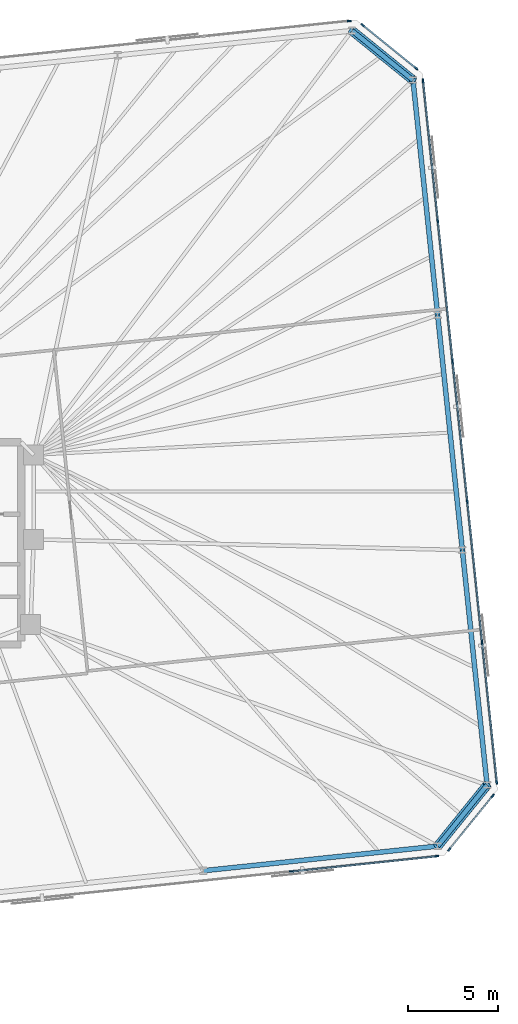
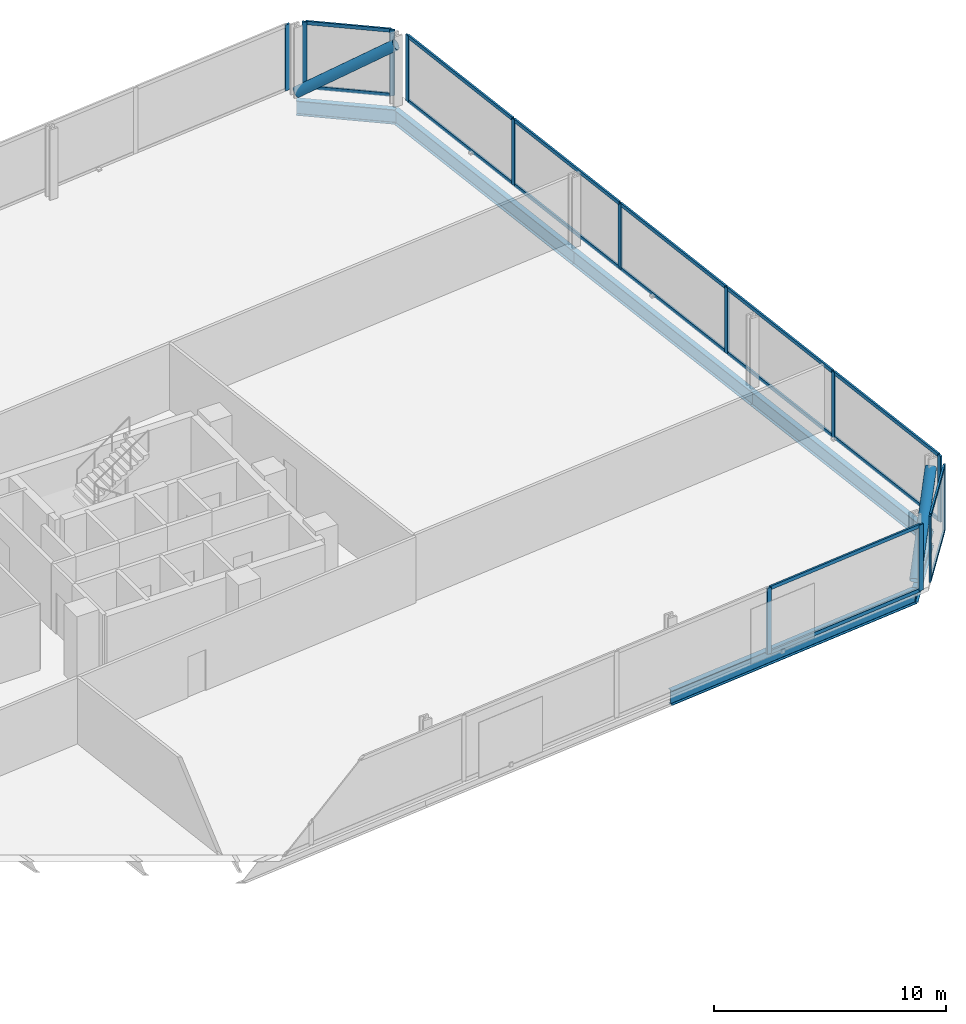
# One storey, part 12 of 17: 31 members, 6 beams, 5 elements without a shape of their own.
"""IFC4 building model written with IfcOpenShell, lengths in metres."""

from ifc_helpers import new_model, si_unit, direction, frame, origin, origin_2d, place, context, subcontext, project, spatial, rectangle, hollow_circle, i_section, extrude, material, material_profile, profile_set, type_object, element, aggregate, save


model = new_model("IFC4")

# Units and contexts
model_context = context("Model", 3, precision=1e-05, world=origin(), true_north=direction((0.0, 1.0)))
body_context = subcontext(model_context, "Body", "Model", "MODEL_VIEW")
ifc_project = project(units=[si_unit("LENGTHUNIT", "METRE"), si_unit("AREAUNIT", "SQUARE_METRE"), si_unit("VOLUMEUNIT", "CUBIC_METRE"), si_unit("PLANEANGLEUNIT", "RADIAN"), si_unit("MASSUNIT", "GRAM", prefix="KILO")], contexts=[model_context])

# Site, building, storey
site_placement = place(None, origin())
site = spatial("IfcSite", under=ifc_project, at=site_placement, CompositionType="ELEMENT")
building_placement = place(site_placement, origin())
building = spatial("IfcBuilding", under=site, at=building_placement, Name="Menara Jurai Vektor", CompositionType="ELEMENT")
storey_placement = place(building_placement, frame((0.0, 0.0, 109.60009765625)))
storey = spatial("IfcBuildingStorey", under=building, at=storey_placement, Name="L27", CompositionType="ELEMENT", Elevation=109.60009765625)

# Curtain wall, members
ifc_material_1 = material(Name="Anodised Pale Aluminium & Low-E Double Glazing", Category="aluminium")
curtain_wall_type = type_object("IfcCurtainWallType", Name="CW-BLK2", PredefinedType="NOTDEFINED", material=ifc_material_1)
curtain_wall_1_placement = place(storey_placement, origin())
curtain_wall_1 = element("IfcCurtainWall", 1, at=curtain_wall_1_placement, inside=storey, type_object=curtain_wall_type, Name="Unitised Curtain Wall L27 F01", PredefinedType="NOTDEFINED")
ifc_material_2 = material(Name="Anodised Pale Aluminium Mullion", Category="aluminium")
ifc_material_profile_1 = material_profile(ifc_material_2, rectangle(XDim=0.090087890625, YDim=0.219970703125, at=origin_2d()), Name="ALU MUL 90x220")
ifc_profile_set_1 = profile_set([ifc_material_profile_1], Name="Anodised Pale Aluminium Mullion")
member_type_1 = type_object("IfcMemberType", Name="CW-BLK2-MUL", PredefinedType="MULLION", material=ifc_profile_set_1)
member_1_placement = place(storey_placement, frame((29.52392578125, -18.169189453125, 0.0), z_axis=(0.0, 0.0, 1.0), x_axis=(-0.104528634935, 0.994521877325, 0.0)))
member_1 = element("IfcMember", 2, at=member_1_placement, type_object=member_type_1, Name="CW-02 mullion 8", PredefinedType="MULLION", context=body_context, shape_type="SweptSolid", body=[
    extrude(rectangle(XDim=0.090087890625, YDim=0.219970703125, at=origin_2d()), origin(), (0.0, 0.0, 1.0), 3.474853515625),
])
member_2_placement = place(storey_placement, frame((37.5771484375, -17.32275390625, 0.0), z_axis=(0.0, 0.0, 1.0), x_axis=(-0.104528634935, 0.994521877325, 0.0)))
member_2 = element("IfcMember", 3, at=member_2_placement, type_object=member_type_1, Name="CW-02 mullion 9", PredefinedType="MULLION", context=body_context, shape_type="SweptSolid", body=[
    extrude(rectangle(XDim=0.090087890625, YDim=0.219970703125, at=origin_2d()), origin(), (0.0, 0.0, 1.0), 3.474853515625),
])

curtain_wall_2_placement = place(storey_placement, origin())
curtain_wall_2 = element("IfcCurtainWall", 4, at=curtain_wall_2_placement, inside=storey, type_object=curtain_wall_type, Name="Unitised Curtain Wall L27 F02", PredefinedType="NOTDEFINED")
member_3_placement = place(storey_placement, frame((38.267333984375, -16.9482421875, 0.0), z_axis=(0.0, 0.0, 1.0), x_axis=(-0.777129222223, 0.62934106172, 0.0)))
member_3 = element("IfcMember", 5, at=member_3_placement, type_object=member_type_1, Name="CW-02 mullion 1", PredefinedType="MULLION", context=body_context, shape_type="SweptSolid", body=[
    extrude(rectangle(XDim=0.090087890625, YDim=0.219970703125, at=origin_2d()), origin(), (0.0, 0.0, 1.0), 3.474853515625),
])
member_4_placement = place(storey_placement, frame((40.66943359375, -13.98193359375, 0.0), z_axis=(0.0, 0.0, 1.0), x_axis=(-0.777129222223, 0.62934106172, 0.0)))
member_4 = element("IfcMember", 6, at=member_4_placement, type_object=member_type_1, Name="CW-02 mullion 2", PredefinedType="MULLION", context=body_context, shape_type="SweptSolid", body=[
    extrude(rectangle(XDim=0.090087890625, YDim=0.219970703125, at=origin_2d()), origin(), (0.0, 0.0, 1.0), 3.474853515625),
])

curtain_wall_3_placement = place(storey_placement, origin())
curtain_wall_3 = element("IfcCurtainWall", 7, at=curtain_wall_3_placement, inside=storey, type_object=curtain_wall_type, Name="Unitised Curtain Wall L27 F03", PredefinedType="NOTDEFINED")
member_5_placement = place(storey_placement, frame((40.892333984375, -13.22900390625, 0.0), z_axis=(0.0, 0.0, 1.0), x_axis=(-0.99452177832, -0.104529576902, 0.0)))
member_5 = element("IfcMember", 8, at=member_5_placement, type_object=member_type_1, Name="CW-02 mullion 1", PredefinedType="MULLION", context=body_context, shape_type="SweptSolid", body=[
    extrude(rectangle(XDim=0.090087890625, YDim=0.219970703125, at=origin_2d()), origin(), (0.0, 0.0, 1.0), 3.474853515625),
])
member_6_placement = place(storey_placement, frame((40.078857421875, -5.488525390625, 0.0), z_axis=(0.0, 0.0, 1.0), x_axis=(-0.99452177832, -0.104529576902, 0.0)))
member_6 = element("IfcMember", 9, at=member_6_placement, type_object=member_type_1, Name="CW-02 mullion 2", PredefinedType="MULLION", context=body_context, shape_type="SweptSolid", body=[
    extrude(rectangle(XDim=0.090087890625, YDim=0.219970703125, at=origin_2d()), origin(), (0.0, 0.0, 1.0), 3.474853515625),
])
member_7_placement = place(storey_placement, frame((39.260498046875, 2.296630859375, 0.0), z_axis=(0.0, 0.0, 1.0), x_axis=(-0.99452177832, -0.104529576902, 0.0)))
member_7 = element("IfcMember", 10, at=member_7_placement, type_object=member_type_1, Name="CW-02 mullion 3", PredefinedType="MULLION", context=body_context, shape_type="SweptSolid", body=[
    extrude(rectangle(XDim=0.090087890625, YDim=0.219970703125, at=origin_2d()), origin(), (0.0, 0.0, 1.0), 3.474853515625),
])
member_8_placement = place(storey_placement, frame((38.4423828125, 10.081787109375, 0.0), z_axis=(0.0, 0.0, 1.0), x_axis=(-0.99452177832, -0.104529576902, 0.0)))
member_8 = element("IfcMember", 11, at=member_8_placement, type_object=member_type_1, Name="CW-02 mullion 4", PredefinedType="MULLION", context=body_context, shape_type="SweptSolid", body=[
    extrude(rectangle(XDim=0.090087890625, YDim=0.219970703125, at=origin_2d()), origin(), (0.0, 0.0, 1.0), 3.474853515625),
])
member_9_placement = place(storey_placement, frame((37.6240234375, 17.866943359375, 0.0), z_axis=(0.0, 0.0, 1.0), x_axis=(-0.99452177832, -0.104529576902, 0.0)))
member_9 = element("IfcMember", 12, at=member_9_placement, type_object=member_type_1, Name="CW-02 mullion 5", PredefinedType="MULLION", context=body_context, shape_type="SweptSolid", body=[
    extrude(rectangle(XDim=0.090087890625, YDim=0.219970703125, at=origin_2d()), origin(), (0.0, 0.0, 1.0), 3.474853515625),
])
member_10_placement = place(storey_placement, frame((36.810546875, 25.607177734375, 0.0), z_axis=(0.0, 0.0, 1.0), x_axis=(-0.99452177832, -0.104529576902, 0.0)))
member_10 = element("IfcMember", 13, at=member_10_placement, type_object=member_type_1, Name="CW-02 mullion 6", PredefinedType="MULLION", context=body_context, shape_type="SweptSolid", body=[
    extrude(rectangle(XDim=0.090087890625, YDim=0.219970703125, at=origin_2d()), origin(), (0.0, 0.0, 1.0), 3.474853515625),
])

curtain_wall_4_placement = place(storey_placement, origin())
curtain_wall_4 = element("IfcCurtainWall", 14, at=curtain_wall_4_placement, inside=storey, type_object=curtain_wall_type, Name="Unitised Curtain Wall L27 F04", PredefinedType="NOTDEFINED")
member_11_placement = place(storey_placement, frame((36.435791015625, 26.29736328125, 0.0), z_axis=(0.0, 0.0, 1.0), x_axis=(-0.629313085353, -0.777151877437, 0.0)))
member_11 = element("IfcMember", 15, at=member_11_placement, type_object=member_type_1, Name="CW-02 mullion 1", PredefinedType="MULLION", context=body_context, shape_type="SweptSolid", body=[
    extrude(rectangle(XDim=0.090087890625, YDim=0.219970703125, at=origin_2d()), origin(), (0.0, 0.0, 1.0), 3.474853515625),
])
member_12_placement = place(storey_placement, frame((33.469482421875, 28.699462890625, 0.0), z_axis=(0.0, 0.0, 1.0), x_axis=(-0.629313085353, -0.777151877437, 0.0)))
member_12 = element("IfcMember", 16, at=member_12_placement, type_object=member_type_1, Name="CW-02 mullion 2", PredefinedType="MULLION", context=body_context, shape_type="SweptSolid", body=[
    extrude(rectangle(XDim=0.090087890625, YDim=0.219970703125, at=origin_2d()), origin(), (0.0, 0.0, 1.0), 3.474853515625),
])

# Curtain wall, member
curtain_wall_5_placement = place(storey_placement, origin())
curtain_wall_5 = element("IfcCurtainWall", 17, at=curtain_wall_5_placement, inside=storey, type_object=curtain_wall_type, Name="Unitised Curtain Wall L27 F05", PredefinedType="NOTDEFINED")
member_13_placement = place(storey_placement, frame((32.716552734375, 28.92236328125, 0.0), z_axis=(0.0, 0.0, 1.0), x_axis=(0.104528634935, -0.994521877325, 0.0)))
member_13 = element("IfcMember", 18, at=member_13_placement, type_object=member_type_1, Name="CW-02 mullion 1", PredefinedType="MULLION", context=body_context, shape_type="SweptSolid", body=[
    extrude(rectangle(XDim=0.090087890625, YDim=0.219970703125, at=origin_2d()), origin(), (0.0, 0.0, 1.0), 3.474853515625),
])
aggregate(curtain_wall_5, [member_13])

# Member
ifc_material_3 = material(Name="Anodised Pale Aluminium Transom", Category="aluminium")
ifc_material_profile_2 = material_profile(ifc_material_3, rectangle(XDim=0.090087890625, YDim=0.18505859375, at=origin_2d()), Name="ALU TRN 90x185")
ifc_profile_set_2 = profile_set([ifc_material_profile_2], Name="Anodised Pale Aluminium Transom")
member_type_2 = type_object("IfcMemberType", Name="CW-BLK2-TRN", PredefinedType="USERDEFINED", material=ifc_profile_set_2)
member_14_placement = place(storey_placement, frame((29.56884765625, -18.16455078125, 0.044921875), z_axis=(0.994519977808, 0.104546706027, 0.0), x_axis=(-0.104546706027, 0.994519977808, 0.0)))
member_14 = element("IfcMember", 19, at=member_14_placement, type_object=member_type_2, Name="CW-02 transom 8.1", ObjectType="TRANSOM", PredefinedType="USERDEFINED", context=body_context, shape_type="SweptSolid", body=[
    extrude(rectangle(XDim=0.090087890625, YDim=0.18505859375, at=origin_2d()), origin(), (0.0, 0.0, 1.0), 8.007568359375),
])

member_15_placement = place(storey_placement, frame((29.56884765625, -18.16455078125, 3.429931640625), z_axis=(0.994519977808, 0.104546706027, 0.0), x_axis=(-0.104546706027, 0.994519977808, 0.0)))
member_15 = element("IfcMember", 20, at=member_15_placement, type_object=member_type_2, Name="CW-02 transom 8.2", ObjectType="TRANSOM", PredefinedType="USERDEFINED", context=body_context, shape_type="SweptSolid", body=[
    extrude(rectangle(XDim=0.090087890625, YDim=0.18505859375, at=origin_2d()), origin(), (0.0, 0.0, 1.0), 8.007568359375),
])

aggregate(curtain_wall_1, [member_1, member_2, member_14, member_15])

member_16_placement = place(storey_placement, frame((38.295654296875, -16.9130859375, 0.044921875), z_axis=(0.6293414396, 0.777128916205, 0.0), x_axis=(-0.777128916205, 0.6293414396, 0.0)))
member_16 = element("IfcMember", 21, at=member_16_placement, type_object=member_type_2, Name="CW-02 transom 1.1", ObjectType="TRANSOM", PredefinedType="USERDEFINED", context=body_context, shape_type="SweptSolid", body=[
    extrude(rectangle(XDim=0.090087890625, YDim=0.18505859375, at=origin_2d()), origin(), (0.0, 0.0, 1.0), 3.726806640625),
])

member_17_placement = place(storey_placement, frame((38.295654296875, -16.9130859375, 3.429931640625), z_axis=(0.6293414396, 0.777128916205, 0.0), x_axis=(-0.777128916205, 0.6293414396, 0.0)))
member_17 = element("IfcMember", 22, at=member_17_placement, type_object=member_type_2, Name="CW-02 transom 1.2", ObjectType="TRANSOM", PredefinedType="USERDEFINED", context=body_context, shape_type="SweptSolid", body=[
    extrude(rectangle(XDim=0.090087890625, YDim=0.18505859375, at=origin_2d()), origin(), (0.0, 0.0, 1.0), 3.726806640625),
])

aggregate(curtain_wall_2, [member_3, member_4, member_16, member_17])

member_18_placement = place(storey_placement, frame((40.8876953125, -13.18408203125, 0.044921875), z_axis=(-0.104536105602, 0.994521092097, 0.0), x_axis=(-0.994521092097, -0.104536105602, 0.0)))
member_18 = element("IfcMember", 23, at=member_18_placement, type_object=member_type_2, Name="CW-02 transom 1.1", ObjectType="TRANSOM", PredefinedType="USERDEFINED", context=body_context, shape_type="SweptSolid", body=[
    extrude(rectangle(XDim=0.090087890625, YDim=0.18505859375, at=origin_2d()), origin(), (0.0, 0.0, 1.0), 7.693115234375),
])

member_19_placement = place(storey_placement, frame((40.8876953125, -13.18408203125, 3.429931640625), z_axis=(-0.104536105602, 0.994521092097, 0.0), x_axis=(-0.994521092097, -0.104536105602, 0.0)))
member_19 = element("IfcMember", 24, at=member_19_placement, type_object=member_type_2, Name="CW-02 transom 1.2", ObjectType="TRANSOM", PredefinedType="USERDEFINED", context=body_context, shape_type="SweptSolid", body=[
    extrude(rectangle(XDim=0.090087890625, YDim=0.18505859375, at=origin_2d()), origin(), (0.0, 0.0, 1.0), 7.693115234375),
])

member_20_placement = place(storey_placement, frame((40.07421875, -5.44384765625, 0.044921875), z_axis=(-0.104528756613, 0.994521864536, 0.0), x_axis=(-0.994521864536, -0.104528756613, 0.0)))
member_20 = element("IfcMember", 25, at=member_20_placement, type_object=member_type_2, Name="CW-02 transom 2.1", ObjectType="TRANSOM", PredefinedType="USERDEFINED", context=body_context, shape_type="SweptSolid", body=[
    extrude(rectangle(XDim=0.090087890625, YDim=0.18505859375, at=origin_2d()), origin(), (0.0, 0.0, 1.0), 7.738037109375),
])

member_21_placement = place(storey_placement, frame((40.07421875, -5.44384765625, 3.429931640625), z_axis=(-0.104528756613, 0.994521864536, 0.0), x_axis=(-0.994521864536, -0.104528756613, 0.0)))
member_21 = element("IfcMember", 26, at=member_21_placement, type_object=member_type_2, Name="CW-02 transom 2.2", ObjectType="TRANSOM", PredefinedType="USERDEFINED", context=body_context, shape_type="SweptSolid", body=[
    extrude(rectangle(XDim=0.090087890625, YDim=0.18505859375, at=origin_2d()), origin(), (0.0, 0.0, 1.0), 7.738037109375),
])

member_22_placement = place(storey_placement, frame((39.255859375, 2.34130859375, 0.044921875), z_axis=(-0.104528756613, 0.994521864536, 0.0), x_axis=(-0.994521864536, -0.104528756613, 0.0)))
member_22 = element("IfcMember", 27, at=member_22_placement, type_object=member_type_2, Name="CW-02 transom 3.1", ObjectType="TRANSOM", PredefinedType="USERDEFINED", context=body_context, shape_type="SweptSolid", body=[
    extrude(rectangle(XDim=0.090087890625, YDim=0.18505859375, at=origin_2d()), origin(), (0.0, 0.0, 1.0), 7.738037109375),
])

member_23_placement = place(storey_placement, frame((39.255859375, 2.34130859375, 3.429931640625), z_axis=(-0.104528756613, 0.994521864536, 0.0), x_axis=(-0.994521864536, -0.104528756613, 0.0)))
member_23 = element("IfcMember", 28, at=member_23_placement, type_object=member_type_2, Name="CW-02 transom 3.2", ObjectType="TRANSOM", PredefinedType="USERDEFINED", context=body_context, shape_type="SweptSolid", body=[
    extrude(rectangle(XDim=0.090087890625, YDim=0.18505859375, at=origin_2d()), origin(), (0.0, 0.0, 1.0), 7.738037109375),
])

member_24_placement = place(storey_placement, frame((38.4375, 10.12646484375, 0.044921875), z_axis=(-0.104528756613, 0.994521864536, 0.0), x_axis=(-0.994521864536, -0.104528756613, 0.0)))
member_24 = element("IfcMember", 29, at=member_24_placement, type_object=member_type_2, Name="CW-02 transom 4.1", ObjectType="TRANSOM", PredefinedType="USERDEFINED", context=body_context, shape_type="SweptSolid", body=[
    extrude(rectangle(XDim=0.090087890625, YDim=0.18505859375, at=origin_2d()), origin(), (0.0, 0.0, 1.0), 7.738037109375),
])

member_25_placement = place(storey_placement, frame((38.4375, 10.12646484375, 3.429931640625), z_axis=(-0.104528756613, 0.994521864536, 0.0), x_axis=(-0.994521864536, -0.104528756613, 0.0)))
member_25 = element("IfcMember", 30, at=member_25_placement, type_object=member_type_2, Name="CW-02 transom 4.2", ObjectType="TRANSOM", PredefinedType="USERDEFINED", context=body_context, shape_type="SweptSolid", body=[
    extrude(rectangle(XDim=0.090087890625, YDim=0.18505859375, at=origin_2d()), origin(), (0.0, 0.0, 1.0), 7.738037109375),
])

member_26_placement = place(storey_placement, frame((37.619384765625, 17.91162109375, 0.044921875), z_axis=(-0.104536105602, 0.994521092097, 0.0), x_axis=(-0.994521092097, -0.104536105602, 0.0)))
member_26 = element("IfcMember", 31, at=member_26_placement, type_object=member_type_2, Name="CW-02 transom 5.1", ObjectType="TRANSOM", PredefinedType="USERDEFINED", context=body_context, shape_type="SweptSolid", body=[
    extrude(rectangle(XDim=0.090087890625, YDim=0.18505859375, at=origin_2d()), origin(), (0.0, 0.0, 1.0), 7.693115234375),
])

member_27_placement = place(storey_placement, frame((37.619384765625, 17.91162109375, 3.429931640625), z_axis=(-0.104536105602, 0.994521092097, 0.0), x_axis=(-0.994521092097, -0.104536105602, 0.0)))
member_27 = element("IfcMember", 32, at=member_27_placement, type_object=member_type_2, Name="CW-02 transom 5.2", ObjectType="TRANSOM", PredefinedType="USERDEFINED", context=body_context, shape_type="SweptSolid", body=[
    extrude(rectangle(XDim=0.090087890625, YDim=0.18505859375, at=origin_2d()), origin(), (0.0, 0.0, 1.0), 7.693115234375),
])

aggregate(curtain_wall_3, [member_5, member_6, member_7, member_8, member_9, member_10, member_18, member_19, member_20, member_21, member_22, member_23, member_24, member_25, member_26, member_27])

member_28_placement = place(storey_placement, frame((36.40087890625, 26.32568359375, 0.044921875), z_axis=(-0.77715486027, 0.629309401772, 0.0), x_axis=(-0.629309401772, -0.77715486027, 0.0)))
member_28 = element("IfcMember", 33, at=member_28_placement, type_object=member_type_2, Name="CW-02 transom 1.1", ObjectType="TRANSOM", PredefinedType="USERDEFINED", context=body_context, shape_type="SweptSolid", body=[
    extrude(rectangle(XDim=0.090087890625, YDim=0.18505859375, at=origin_2d()), origin(), (0.0, 0.0, 1.0), 3.72705078125),
])

member_29_placement = place(storey_placement, frame((36.40087890625, 26.32568359375, 3.429931640625), z_axis=(-0.77715486027, 0.629309401772, 0.0), x_axis=(-0.629309401772, -0.77715486027, 0.0)))
member_29 = element("IfcMember", 34, at=member_29_placement, type_object=member_type_2, Name="CW-02 transom 1.2", ObjectType="TRANSOM", PredefinedType="USERDEFINED", context=body_context, shape_type="SweptSolid", body=[
    extrude(rectangle(XDim=0.090087890625, YDim=0.18505859375, at=origin_2d()), origin(), (0.0, 0.0, 1.0), 3.72705078125),
])

aggregate(curtain_wall_4, [member_11, member_12, member_28, member_29])

# Members
ifc_material_4 = material(Name="Steel S460", Category="steel")
ifc_material_profile_3 = material_profile(ifc_material_4, hollow_circle(Radius=0.25390625, WallThickness=0.02001953125, at=origin_2d()), Name="CHS 508x20")
ifc_profile_set_3 = profile_set([ifc_material_profile_3], Name="Steel S460")
member_type_3 = type_object("IfcMemberType", Name="STR-BR-508", PredefinedType="BRACE", material=ifc_profile_set_3)
for number, where, z_axis, x_axis, name in (
    (35, (37.621826171875, -16.76513671875, 0.14990234375), (0.519271719394, 0.641207846359, 0.564986176119), (-0.777127086072, 0.629343699494, 0.0), "Exoskeleton Corner Brace L27-1"),
    (36, (32.876220703125, 28.38623046875, 0.14990234375), (0.641207846359, -0.519271719394, 0.564986176119), (0.629343699494, 0.777127086072, 0.0), "Exoskeleton Corner Brace L27-2"),
):
    element("IfcMember", number, at=place(storey_placement, frame(where, z_axis=z_axis, x_axis=x_axis)), inside=storey, type_object=member_type_3, Name=name, PredefinedType="BRACE", context=body_context, shape_type="SweptSolid", body=[
        extrude(hollow_circle(Radius=0.25390625, WallThickness=0.02001953125, at=origin_2d()), origin(), (0.0, 0.0, 1.0), 5.265869140625),
    ])

# Beams
ifc_material_profile_4 = material_profile(ifc_material_4, i_section(OverallWidth=0.26806640625, OverallDepth=0.77001953125, WebThickness=0.01611328125, FlangeThickness=0.02490234375, FilletRadius=0.01708984375, at=origin_2d()), Name="UKB 762x267x197")
ifc_profile_set_4 = profile_set([ifc_material_profile_4], Name="Steel S460")
beam_type = type_object("IfcBeamType", Name="STR-SP-762", PredefinedType="SPANDREL", material=ifc_profile_set_4)
beam_1_placement = place(storey_placement, frame((24.64208984375, -18.12939453125, -0.610107421875), z_axis=(0.994521636083, 0.104530930169, 0.0), x_axis=(-0.104530930169, 0.994521636083, 0.0)))
element("IfcBeam", 37, at=beam_1_placement, inside=storey, type_object=beam_type, Name="Exoskeleton Spandrel Beam L27-05", PredefinedType="SPANDREL", context=body_context, shape_type="SweptSolid", body=[
    extrude(i_section(OverallWidth=0.26806640625, OverallDepth=0.77001953125, WebThickness=0.01611328125, FlangeThickness=0.02490234375, FilletRadius=0.01708984375, at=origin_2d()), origin(), (0.0, 0.0, 1.0), 13.05126953125),
])
beam_2_placement = place(storey_placement, frame((37.621826171875, -16.76513671875, -0.610107421875), z_axis=(0.629343699494, 0.777127086072, 0.0), x_axis=(-0.777127086072, 0.629343699494, 0.0)))
element("IfcBeam", 38, at=beam_2_placement, inside=storey, type_object=beam_type, Name="Exoskeleton Spandrel Beam L27-06", PredefinedType="SPANDREL", context=body_context, shape_type="SweptSolid", body=[
    extrude(i_section(OverallWidth=0.26806640625, OverallDepth=0.77001953125, WebThickness=0.01611328125, FlangeThickness=0.02490234375, FilletRadius=0.01708984375, at=origin_2d()), origin(), (0.0, 0.0, 1.0), 4.3447265625),
])
beam_3_placement = place(storey_placement, frame((40.356201171875, -13.388671875, -0.610107421875), z_axis=(-0.104538130097, 0.994520879296, 0.0), x_axis=(-0.994520879296, -0.104538130097, 0.0)))
element("IfcBeam", 39, at=beam_3_placement, inside=storey, type_object=beam_type, Name="Exoskeleton Spandrel Beam L27-07", PredefinedType="SPANDREL", context=body_context, shape_type="SweptSolid", body=[
    extrude(i_section(OverallWidth=0.26806640625, OverallDepth=0.77001953125, WebThickness=0.01611328125, FlangeThickness=0.02490234375, FilletRadius=0.01708984375, at=origin_2d()), origin(), (0.0, 0.0, 1.0), 13.08544921875),
])
beam_4_placement = place(storey_placement, frame((38.98828125, -0.375, -0.610107421875), z_axis=(-0.104521615846, 0.994522615037, 0.0), x_axis=(-0.994522615037, -0.104521615846, 0.0)))
element("IfcBeam", 40, at=beam_4_placement, inside=storey, type_object=beam_type, Name="Exoskeleton Spandrel Beam L27-08", PredefinedType="SPANDREL", context=body_context, shape_type="SweptSolid", body=[
    extrude(i_section(OverallWidth=0.26806640625, OverallDepth=0.77001953125, WebThickness=0.01611328125, FlangeThickness=0.02490234375, FilletRadius=0.01708984375, at=origin_2d()), origin(), (0.0, 0.0, 1.0), 13.085205078125),
])
beam_5_placement = place(storey_placement, frame((37.62060546875, 12.638427734375, -0.610107421875), z_axis=(-0.104538130097, 0.994520879296, 0.0), x_axis=(-0.994520879296, -0.104538130097, 0.0)))
element("IfcBeam", 41, at=beam_5_placement, inside=storey, type_object=beam_type, Name="Exoskeleton Spandrel Beam L27-09", PredefinedType="SPANDREL", context=body_context, shape_type="SweptSolid", body=[
    extrude(i_section(OverallWidth=0.26806640625, OverallDepth=0.77001953125, WebThickness=0.01611328125, FlangeThickness=0.02490234375, FilletRadius=0.01708984375, at=origin_2d()), origin(), (0.0, 0.0, 1.0), 13.08544921875),
])
beam_6_placement = place(storey_placement, frame((36.252685546875, 25.652099609375, -0.610107421875), z_axis=(-0.777154568396, 0.629309762217, 0.0), x_axis=(-0.629309762217, -0.777154568396, 0.0)))
element("IfcBeam", 42, at=beam_6_placement, inside=storey, type_object=beam_type, Name="Exoskeleton Spandrel Beam L27-10", PredefinedType="SPANDREL", context=body_context, shape_type="SweptSolid", body=[
    extrude(i_section(OverallWidth=0.26806640625, OverallDepth=0.77001953125, WebThickness=0.01611328125, FlangeThickness=0.02490234375, FilletRadius=0.01708984375, at=origin_2d()), origin(), (0.0, 0.0, 1.0), 4.3447265625),
])

save(model, "model.ifc")
